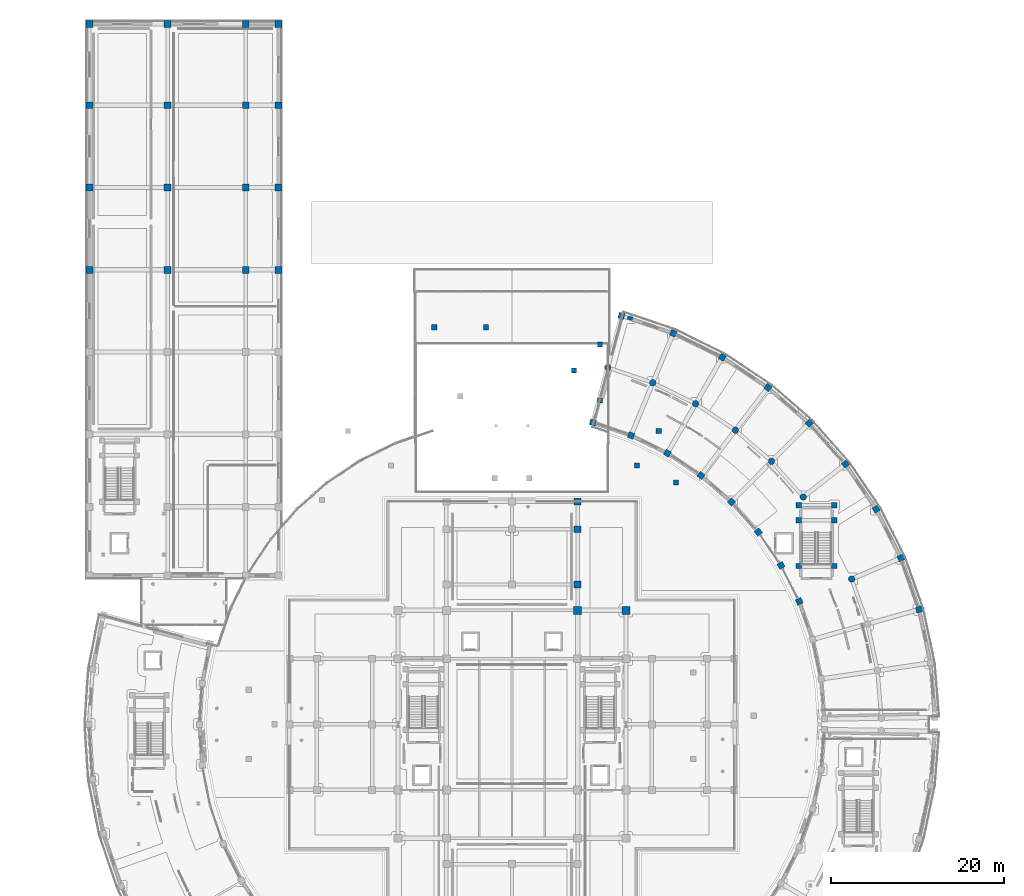
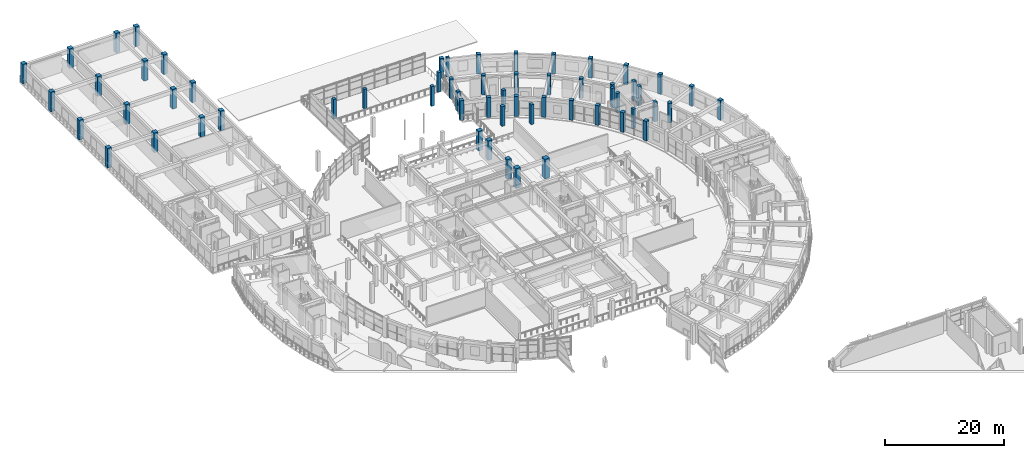
# One storey, part 11 of 87: 60 columns.
"""IFC4 building model written with IfcOpenShell, lengths in metres."""

from ifc_helpers import new_model, si_unit, direction, frame, origin, origin_2d, place, context, subcontext, project, spatial, rectangle, circle, extrude, material, material_profile, profile_set, type_object, element, save


model = new_model("IFC4")

# Units and contexts
model_context = context("Model", 3, precision=1e-05, world=origin(), true_north=direction((0.0, 1.0)))
body_context = subcontext(model_context, "Body", "Model", "MODEL_VIEW")
ifc_project = project(units=[si_unit("LENGTHUNIT", "METRE"), si_unit("AREAUNIT", "SQUARE_METRE"), si_unit("VOLUMEUNIT", "CUBIC_METRE"), si_unit("PLANEANGLEUNIT", "RADIAN"), si_unit("MASSUNIT", "GRAM", prefix="KILO")], contexts=[model_context])

# Site, building, storey
site_placement = place(None, origin())
site = spatial("IfcSite", under=ifc_project, at=site_placement, CompositionType="ELEMENT")
building_placement = place(site_placement, origin())
building = spatial("IfcBuilding", under=site, at=building_placement, Name="Saryqyr Civic Hall", CompositionType="ELEMENT")
storey_placement = place(building_placement, frame((0.0, 0.0, 5.10009765625)))
storey = spatial("IfcBuildingStorey", under=building, at=storey_placement, Name="L01", CompositionType="ELEMENT", Elevation=5.10009765625)

# Columns
ifc_material = material(Name="Concrete C40/50", Category="concrete")
ifc_material_profile_1 = material_profile(ifc_material, rectangle(XDim=0.60009765625, YDim=0.60009765625, at=origin_2d()), Name="RC 600x600")
ifc_profile_set_1 = profile_set([ifc_material_profile_1], Name="Concrete C40/50")
column_type_1 = type_object("IfcColumnType", Name="STR-COL-RC600-C40", PredefinedType="COLUMN", material=ifc_profile_set_1)
for number, where, z_axis, x_axis, name in (
    (1, (94.340087890625, 102.3349609375, 0.0), (0.0, 0.0, 1.0), (1.0, 0.0, 0.0), "Column ST-6-SCOL-TRMA-L01"),
    (2, (90.219970703125, 102.3349609375, 0.0), (0.0, 0.0, 1.0), (1.0, 0.0, 0.0), "Column ST-6-SCOL-TRMB-L01"),
    (3, (94.340087890625, 107.64990234375, 0.0), (0.0, 0.0, 1.0), (1.0, 0.0, 0.0), "Column ST-6-SCOL-LND1A-L01"),
    (4, (90.219970703125, 107.64990234375, 0.0), (0.0, 0.0, 1.0), (1.0, 0.0, 0.0), "Column ST-6-SCOL-LND1B-L01"),
    (5, (94.340087890625, 109.3798828125, 0.0), (0.0, 0.0, 1.0), (1.0, 0.0, 0.0), "Column ST-6-SCOL-LND2A-L01"),
    (6, (90.219970703125, 109.3798828125, 0.0), (0.0, 0.0, 1.0), (1.0, 0.0, 0.0), "Column ST-6-SCOL-LND2B-L01"),
    (7, (48.0, 130.0, 0.0), (0.0, 0.0, 1.0), (1.0, 0.0, 0.0), "Column V2-XCOL-19-L01"),
    (8, (54.0, 130.0, 0.0), (0.0, 0.0, 1.0), (1.0, 0.0, 0.0), "Column V2-XCOL-20-L01"),
    (9, (71.5, 114.0, 0.0), (0.0, 0.0, 1.0), (1.0, 0.0, 0.0), "Column V2-XCOL-22-L01"),
    (10, (76.0, 112.0, 0.0), (0.0, 0.0, 1.0), (1.0, 0.0, 0.0), "Column V2-XCOL-23-L01"),
    (11, (74.0, 118.0, 0.0), (0.0, 0.0, 1.0), (1.0, 0.0, 0.0), "Column V2-XCOL-24-L01"),
    (12, (67.199951171875, 128.0, 0.0), (0.0, 0.0, 1.0), (1.0, 0.0, 0.0), "Column V2-XCOL-28-L01"),
    (13, (67.199951171875, 121.5, 0.0), (0.0, 0.0, 1.0), (1.0, 0.0, 0.0), "Column V2-XCOL-29-L01"),
    (14, (64.199951171875, 125.0, 0.0), (0.0, 0.0, 1.0), (1.0, 0.0, 0.0), "Column V2-XCOL-30-L01"),
):
    element("IfcColumn", number, at=place(storey_placement, frame(where, z_axis=z_axis, x_axis=x_axis)), inside=storey, type_object=column_type_1, Name=name, PredefinedType="COLUMN", context=body_context, shape_type="SweptSolid", body=[
        extrude(rectangle(XDim=0.60009765625, YDim=0.60009765625, at=origin_2d()), origin(), (0.0, 0.0, 1.0), 4.0498046875),
    ])
ifc_material_profile_2 = material_profile(ifc_material, rectangle(XDim=0.699951171875, YDim=0.699951171875, at=origin_2d()), Name="RC 700x700")
ifc_profile_set_2 = profile_set([ifc_material_profile_2], Name="Concrete C40/50")
column_type_2 = type_object("IfcColumnType", Name="STR-COL-RC700-C40", PredefinedType="COLUMN", material=ifc_profile_set_2)
for number, where, z_axis, x_axis, name in (
    (15, (104.157958984375, 97.308837890625, 0.0), (0.0, 0.0, 1.0), (0.962407846499, 0.271608425858, 0.0), "Column V6-COL-OUT02-L01"),
    (16, (90.281494140625, 98.240478515625, 0.0), (0.0, 0.0, 1.0), (0.919410138581, 0.393300136124, 0.0), "Column V6-COL-IN03-L01"),
    (17, (102.04931640625, 103.275634765625, 0.0), (0.0, 0.0, 1.0), (0.919410138581, 0.393300136124, 0.0), "Column V6-COL-OUT03-L01"),
    (18, (88.16845703125, 102.410888671875, 0.0), (0.0, 0.0, 1.0), (0.861008442465, 0.508590662521, 0.0), "Column V6-COL-IN04-L01"),
    (19, (99.189453125, 108.9208984375, 0.0), (0.0, 0.0, 1.0), (0.861008442465, 0.508590662521, 0.0), "Column V6-COL-OUT04-L01"),
    (20, (85.53564453125, 106.2744140625, 0.0), (0.0, 0.0, 1.0), (0.78822561199, 0.615386370179, 0.0), "Column V6-COL-IN05-L01"),
    (21, (95.625732421875, 114.150634765625, 0.0), (0.0, 0.0, 1.0), (0.78822561199, 0.615386370179, 0.0), "Column V6-COL-OUT05-L01"),
    (22, (82.427001953125, 109.7666015625, 0.0), (0.0, 0.0, 1.0), (0.70240155419, 0.711780904964, 0.0), "Column V6-COL-IN06-L01"),
    (23, (91.417724609375, 118.877197265625, 0.0), (0.0, 0.0, 1.0), (0.70240155419, 0.711780904964, 0.0), "Column V6-COL-OUT06-L01"),
    (24, (78.89404296875, 112.82861328125, 0.0), (0.0, 0.0, 1.0), (0.60473812635, 0.796424383441, 0.0), "Column V6-COL-IN07-L01"),
    (25, (86.635498046875, 123.022216796875, 0.0), (0.0, 0.0, 1.0), (0.60473812635, 0.796424383441, 0.0), "Column V6-COL-OUT07-L01"),
    (26, (74.995849609375, 115.409912109375, 0.0), (0.0, 0.0, 1.0), (0.4971254071, 0.867678701833, 0.0), "Column V6-COL-IN08-L01"),
    (27, (81.359130859375, 126.516357421875, 0.0), (0.0, 0.0, 1.0), (0.4971254071, 0.867678701833, 0.0), "Column V6-COL-OUT08-L01"),
    (28, (70.797607421875, 117.46728515625, 0.0), (0.0, 0.0, 1.0), (0.381231734269, 0.924479510204, 0.0), "Column V6-COL-IN09-L01"),
    (29, (75.676513671875, 129.301025390625, 0.0), (0.0, 0.0, 1.0), (0.381231734269, 0.924479510204, 0.0), "Column V6-COL-OUT09-L01"),
    (30, (66.369140625, 118.966552734375, 0.0), (0.0, 0.0, 1.0), (0.258819045103, 0.965925826289, 0.0), "Column V6-COL-IN10-L01"),
    (31, (69.68212890625, 131.330322265625, 0.0), (0.0, 0.0, 1.0), (0.258819045103, 0.965925826289, 0.0), "Column V6-COL-OUT10-L01"),
):
    element("IfcColumn", number, at=place(storey_placement, frame(where, z_axis=z_axis, x_axis=x_axis)), inside=storey, type_object=column_type_2, Name=name, PredefinedType="COLUMN", context=body_context, shape_type="SweptSolid", body=[
        extrude(rectangle(XDim=0.699951171875, YDim=0.699951171875, at=origin_2d()), origin(), (0.0, 0.0, 1.0), 4.0498046875),
    ])
ifc_material_profile_3 = material_profile(ifc_material, rectangle(XDim=0.800048828125, YDim=0.800048828125, at=origin_2d()), Name="RC 800x800")
ifc_profile_set_3 = profile_set([ifc_material_profile_3], Name="Concrete C40/50")
column_type_3 = type_object("IfcColumnType", Name="STR-COL-RC800-C40", PredefinedType="COLUMN", material=ifc_profile_set_3)
for number, where, z_axis, x_axis, name in (
    (32, (64.60009765625, 100.199951171875, 0.0), (0.0, 0.0, 1.0), (1.0, 0.0, 0.0), "Column V1-COL-S3P12-L01"),
    (33, (64.60009765625, 106.60009765625, 0.0), (0.0, 0.0, 1.0), (1.0, 0.0, 0.0), "Column V1-COL-S1P12-L01"),
    (34, (64.60009765625, 109.800048828125, 0.0), (0.0, 0.0, 1.0), (1.0, 0.0, 0.0), "Column V1-COL-S0P12-L01"),
    (35, (8.050048828125, 136.659912109375, 0.0), (0.0, 0.0, 1.0), (1.0, 0.0, 0.0), "Column V3-COL-15-L01"),
    (36, (8.050048828125, 146.18994140625, 0.0), (0.0, 0.0, 1.0), (1.0, 0.0, 0.0), "Column V3-COL-16-L01"),
    (37, (8.050048828125, 155.719970703125, 0.0), (0.0, 0.0, 1.0), (1.0, 0.0, 0.0), "Column V3-COL-17-L01"),
    (38, (8.050048828125, 165.14990234375, 0.0), (0.0, 0.0, 1.0), (1.0, 0.0, 0.0), "Column V3-COL-18-L01"),
    (39, (17.10009765625, 136.659912109375, 0.0), (0.0, 0.0, 1.0), (1.0, 0.0, 0.0), "Column V3-COL-25-L01"),
    (40, (17.10009765625, 146.18994140625, 0.0), (0.0, 0.0, 1.0), (1.0, 0.0, 0.0), "Column V3-COL-26-L01"),
    (41, (17.10009765625, 155.719970703125, 0.0), (0.0, 0.0, 1.0), (1.0, 0.0, 0.0), "Column V3-COL-27-L01"),
    (42, (17.10009765625, 165.14990234375, 0.0), (0.0, 0.0, 1.0), (1.0, 0.0, 0.0), "Column V3-COL-28-L01"),
    (43, (26.14990234375, 136.659912109375, 0.0), (0.0, 0.0, 1.0), (1.0, 0.0, 0.0), "Column V3-COL-35-L01"),
    (44, (26.14990234375, 146.18994140625, 0.0), (0.0, 0.0, 1.0), (1.0, 0.0, 0.0), "Column V3-COL-36-L01"),
    (45, (26.14990234375, 155.719970703125, 0.0), (0.0, 0.0, 1.0), (1.0, 0.0, 0.0), "Column V3-COL-37-L01"),
    (46, (26.14990234375, 165.14990234375, 0.0), (0.0, 0.0, 1.0), (1.0, 0.0, 0.0), "Column V3-COL-38-L01"),
    (47, (29.949951171875, 136.659912109375, 0.0), (0.0, 0.0, 1.0), (1.0, 0.0, 0.0), "Column V3-COL-45-L01"),
    (48, (29.949951171875, 146.18994140625, 0.0), (0.0, 0.0, 1.0), (1.0, 0.0, 0.0), "Column V3-COL-46-L01"),
    (49, (29.949951171875, 155.719970703125, 0.0), (0.0, 0.0, 1.0), (1.0, 0.0, 0.0), "Column V3-COL-47-L01"),
    (50, (29.949951171875, 165.14990234375, 0.0), (0.0, 0.0, 1.0), (1.0, 0.0, 0.0), "Column V3-COL-48-L01"),
):
    element("IfcColumn", number, at=place(storey_placement, frame(where, z_axis=z_axis, x_axis=x_axis)), inside=storey, type_object=column_type_3, Name=name, PredefinedType="COLUMN", context=body_context, shape_type="SweptSolid", body=[
        extrude(rectangle(XDim=0.800048828125, YDim=0.800048828125, at=origin_2d()), origin(), (0.0, 0.0, 1.0), 4.0498046875),
    ])
ifc_material_profile_4 = material_profile(ifc_material, rectangle(XDim=0.89990234375, YDim=0.89990234375, at=origin_2d()), Name="RC 900x900")
ifc_profile_set_4 = profile_set([ifc_material_profile_4], Name="Concrete C40/50")
column_type_4 = type_object("IfcColumnType", Name="STR-COL-RC900-C40", PredefinedType="COLUMN", material=ifc_profile_set_4)
for number, where, z_axis, x_axis, name in (
    (51, (64.60009765625, 97.199951171875, 0.0), (0.0, 0.0, 1.0), (1.0, 0.0, 0.0), "Column V1-COL-C34-L01"),
    (52, (70.199951171875, 97.199951171875, 0.0), (0.0, 0.0, 1.0), (1.0, 0.0, 0.0), "Column V1-COL-C44-L01"),
):
    element("IfcColumn", number, at=place(storey_placement, frame(where, z_axis=z_axis, x_axis=x_axis)), inside=storey, type_object=column_type_4, Name=name, PredefinedType="COLUMN", context=body_context, shape_type="SweptSolid", body=[
        extrude(rectangle(XDim=0.89990234375, YDim=0.89990234375, at=origin_2d()), origin(), (0.0, 0.0, 1.0), 4.0498046875),
    ])
ifc_material_profile_5 = material_profile(ifc_material, circle(Radius=0.375, at=origin_2d()), Name="RC D750")
ifc_profile_set_5 = profile_set([ifc_material_profile_5], Name="Concrete C40/50")
column_type_5 = type_object("IfcColumnType", Name="STR-COL-RCD750-INT", PredefinedType="COLUMN", material=ifc_profile_set_5)
for number, where, z_axis, x_axis, name in (
    (53, (96.349365234375, 100.836669921875, 0.0), (0.0, 0.0, 1.0), (0.919410138581, 0.393300136124, 0.0), "Column V6-COL-MID03-L01"),
    (54, (90.73828125, 110.335693359375, 0.0), (0.0, 0.0, 1.0), (0.78822561199, 0.615386370179, 0.0), "Column V6-COL-MID05-L01"),
    (55, (87.062744140625, 114.464111328125, 0.0), (0.0, 0.0, 1.0), (0.70240155419, 0.711780904964, 0.0), "Column V6-COL-MID06-L01"),
    (56, (82.8857421875, 118.084716796875, 0.0), (0.0, 0.0, 1.0), (0.60473812635, 0.796424383441, 0.0), "Column V6-COL-MID07-L01"),
    (57, (78.277099609375, 121.13671875, 0.0), (0.0, 0.0, 1.0), (0.4971254071, 0.867678701833, 0.0), "Column V6-COL-MID08-L01"),
    (58, (73.313232421875, 123.569091796875, 0.0), (0.0, 0.0, 1.0), (0.381231734269, 0.924479510204, 0.0), "Column V6-COL-MID09-L01"),
    (59, (68.077392578125, 125.341552734375, 0.0), (0.0, 0.0, 1.0), (0.258819045103, 0.965925826289, 0.0), "Column V6-COL-MID10-L01"),
):
    element("IfcColumn", number, at=place(storey_placement, frame(where, z_axis=z_axis, x_axis=x_axis)), inside=storey, type_object=column_type_5, Name=name, PredefinedType="COLUMN", context=body_context, shape_type="SweptSolid", body=[
        extrude(circle(Radius=0.375, at=origin_2d()), origin(), (0.0, 0.0, 1.0), 4.0498046875),
    ])
ifc_material_profile_6 = material_profile(ifc_material, rectangle(XDim=0.39990234375, YDim=0.60009765625, at=origin_2d()), Name="RC 400x600")
ifc_profile_set_6 = profile_set([ifc_material_profile_6], Name="Concrete C40/50")
column_type_6 = type_object("IfcColumnType", Name="STR-PIL-RC400x600-EXT", PredefinedType="PILASTER", material=ifc_profile_set_6)
column_placement = place(storey_placement, frame((70.670654296875, 131.054443359375, 0.0), z_axis=(0.0, 0.0, 1.0), x_axis=(0.258819045103, 0.965925826289, 0.0)))
element("IfcColumn", 60, at=column_placement, inside=storey, type_object=column_type_6, Name="Column V6-PIL-10-L01", PredefinedType="PILASTER", context=body_context, shape_type="SweptSolid", body=[
    extrude(rectangle(XDim=0.39990234375, YDim=0.60009765625, at=origin_2d()), origin(), (0.0, 0.0, 1.0), 4.0498046875),
])

save(model, "model.ifc")
